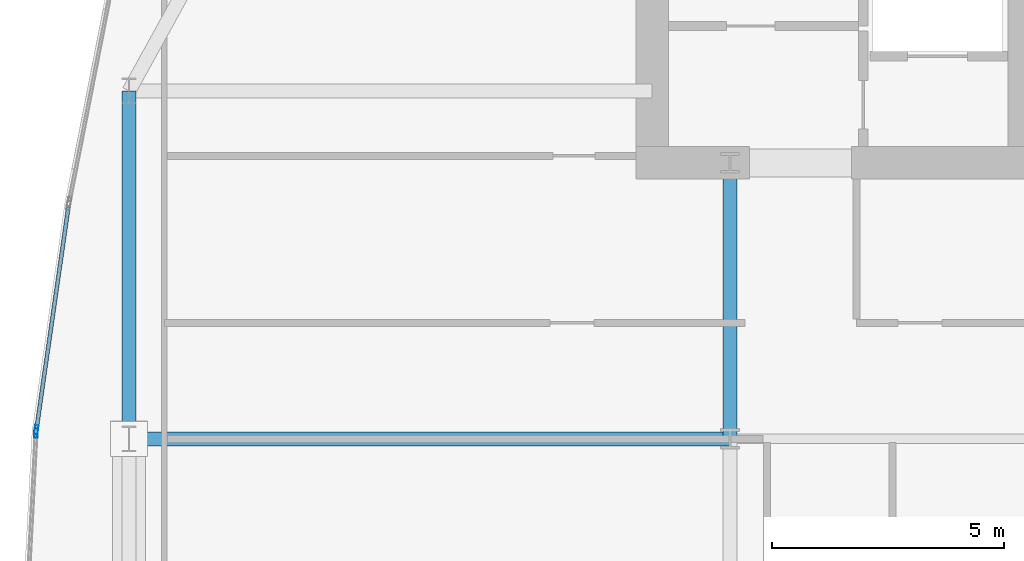
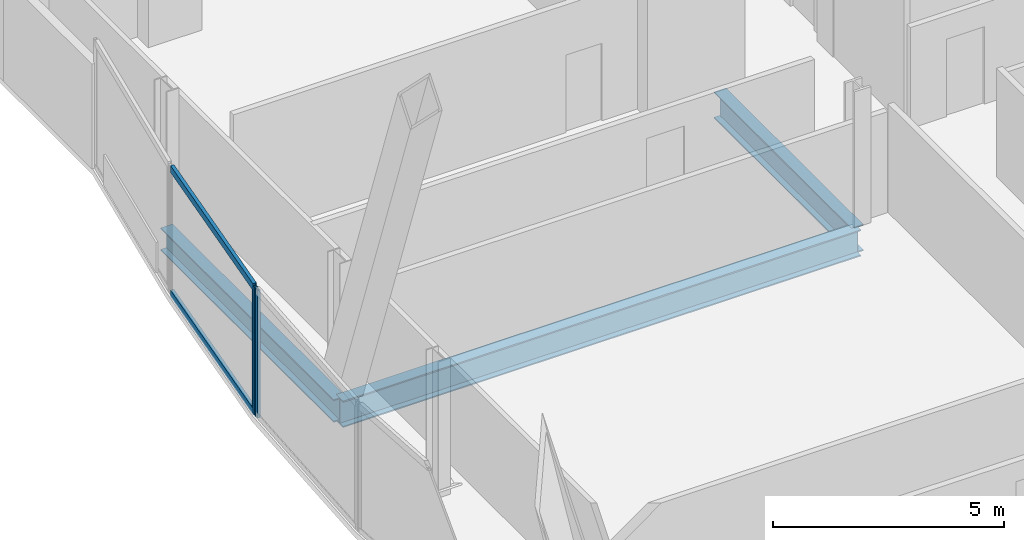
# One storey, part 12 of 31: 4 members, 3 beams, 2 elements without a shape of their own.
"""IFC4 building model written with IfcOpenShell, lengths in metres."""

from ifc_helpers import new_model, si_unit, direction, frame, origin, origin_2d, place, context, subcontext, project, spatial, hollow_rectangle, i_section, extrude, material, material_profile, profile_set, type_object, element, aggregate, save


model = new_model("IFC4")

# Units and contexts
model_context = context("Model", 3, precision=1e-05, world=origin(), true_north=direction((0.0, 1.0)))
body_context = subcontext(model_context, "Body", "Model", "MODEL_VIEW")
ifc_project = project(units=[si_unit("LENGTHUNIT", "METRE"), si_unit("AREAUNIT", "SQUARE_METRE"), si_unit("VOLUMEUNIT", "CUBIC_METRE"), si_unit("PLANEANGLEUNIT", "RADIAN"), si_unit("MASSUNIT", "GRAM", prefix="KILO")], contexts=[model_context])

# Site, building, storey
site_placement = place(None, origin())
site = spatial("IfcSite", under=ifc_project, at=site_placement, CompositionType="ELEMENT")
building_placement = place(site_placement, origin())
building = spatial("IfcBuilding", under=site, at=building_placement, Name="Khoronbel Lancet Exchange", CompositionType="ELEMENT")
storey_placement = place(building_placement, frame((0.0, 0.0, 168.60009765625)))
storey = spatial("IfcBuildingStorey", under=building, at=storey_placement, Name="L42", CompositionType="ELEMENT", Elevation=168.60009765625)

# Beams
ifc_material_1 = material(Name="Steel S355", Category="steel")
ifc_material_profile_1 = material_profile(ifc_material_1, i_section(OverallWidth=0.300048828125, OverallDepth=0.699951171875, WebThickness=0.01708984375, FlangeThickness=0.031982421875, at=origin_2d()), Name="HEB 700")
ifc_profile_set_1 = profile_set([ifc_material_profile_1], Name="Steel S355")
beam_type_1 = type_object("IfcBeamType", Name="BM-BG3", PredefinedType="BEAM", material=ifc_profile_set_1)
beam_1_placement = place(storey_placement, frame((18.22509765625, 35.699951171875, -0.510009765625), z_axis=(0.0, 1.0, 0.0), x_axis=(-1.0, 0.0, 0.0)))
element("IfcBeam", 1, at=beam_1_placement, inside=storey, type_object=beam_type_1, Name="Level L42 spine tie girder GN1", PredefinedType="BEAM", context=body_context, shape_type="SweptSolid", body=[
    extrude(i_section(OverallWidth=0.300048828125, OverallDepth=0.699951171875, WebThickness=0.01708984375, FlangeThickness=0.031982421875, at=origin_2d()), origin(), (0.0, 0.0, 1.0), 5.949951171875),
])
beam_2_placement = place(storey_placement, frame((5.27001953125, 35.699951171875, -0.510009765625), z_axis=(1.0, 0.0, 0.0), x_axis=(0.0, 1.0, 0.0)))
element("IfcBeam", 2, at=beam_2_placement, inside=storey, type_object=beam_type_1, Name="Level L42 west lens tie girder LG4W", PredefinedType="BEAM", context=body_context, shape_type="SweptSolid", body=[
    extrude(i_section(OverallWidth=0.300048828125, OverallDepth=0.699951171875, WebThickness=0.01708984375, FlangeThickness=0.031982421875, at=origin_2d()), origin(), (0.0, 0.0, 1.0), 12.955078125),
])
ifc_material_profile_2 = material_profile(ifc_material_1, i_section(OverallWidth=0.300048828125, OverallDepth=0.60009765625, WebThickness=0.015380859375, FlangeThickness=0.030029296875, at=origin_2d()), Name="HEB 600")
ifc_profile_set_2 = profile_set([ifc_material_profile_2], Name="Steel S355")
beam_type_2 = type_object("IfcBeamType", Name="BM-BSP2", PredefinedType="SPANDREL", material=ifc_profile_set_2)
beam_3_placement = place(storey_placement, frame((5.27001953125, 43.199951171875, -0.460205078125), z_axis=(0.0, -1.0, 0.0), x_axis=(1.0, 0.0, 0.0)))
element("IfcBeam", 3, at=beam_3_placement, inside=storey, type_object=beam_type_2, Name="Level L42 perimeter spandrel beam SP17", PredefinedType="SPANDREL", context=body_context, shape_type="SweptSolid", body=[
    extrude(i_section(OverallWidth=0.300048828125, OverallDepth=0.60009765625, WebThickness=0.015380859375, FlangeThickness=0.030029296875, at=origin_2d()), origin(), (0.0, 0.0, 1.0), 7.5),
])

# Curtain wall, member
ifc_material_2 = material(Name="Low-E Solar Control Insulating Glass", Category="glass")
curtain_wall_type = type_object("IfcCurtainWallType", Name="CW-4", PredefinedType="NOTDEFINED", material=ifc_material_2)
curtain_wall_1_placement = place(storey_placement, origin())
curtain_wall_1 = element("IfcCurtainWall", 4, at=curtain_wall_1_placement, inside=storey, type_object=curtain_wall_type, Name="Unitised curtain wall CW-L42-E07", PredefinedType="NOTDEFINED")
ifc_material_3 = material(Name="Bronze-Anodised Aluminium 6063-T6", Category="aluminium")
ifc_material_profile_3 = material_profile(ifc_material_3, hollow_rectangle(XDim=0.074951171875, YDim=0.199951171875, WallThickness=0.0048828125, at=origin_2d()), Name="ALU MULLION 75x200")
ifc_profile_set_3 = profile_set([ifc_material_profile_3], Name="Bronze-Anodised Aluminium 6063-T6")
member_type_1 = type_object("IfcMemberType", Name="MEM-CWM2", PredefinedType="MULLION", material=ifc_profile_set_3)
member_1_placement = place(storey_placement, frame((3.265869140625, 35.820556640625, 0.0), z_axis=(0.0, 0.0, 1.0), x_axis=(-0.998619009442, 0.052536406245, 0.0)))
member_1 = element("IfcMember", 5, at=member_1_placement, type_object=member_type_1, Name="CW4 mullion 2", PredefinedType="MULLION", context=body_context, shape_type="SweptSolid", body=[
    extrude(hollow_rectangle(XDim=0.074951171875, YDim=0.199951171875, WallThickness=0.0048828125, at=origin_2d()), origin(), (0.0, 0.0, 1.0), 3.3798828125),
])
aggregate(curtain_wall_1, [member_1])

# Curtain wall, members
curtain_wall_2_placement = place(storey_placement, origin())
curtain_wall_2 = element("IfcCurtainWall", 6, at=curtain_wall_2_placement, inside=storey, type_object=curtain_wall_type, Name="Unitised curtain wall CW-L42-E08", PredefinedType="NOTDEFINED")
member_2_placement = place(storey_placement, frame((3.273193359375, 35.89501953125, 0.0), z_axis=(0.0, 0.0, 1.0), x_axis=(-0.989829804459, 0.142256663132, 0.0)))
member_2 = element("IfcMember", 7, at=member_2_placement, type_object=member_type_1, Name="CW4 mullion 1", PredefinedType="MULLION", context=body_context, shape_type="SweptSolid", body=[
    extrude(hollow_rectangle(XDim=0.074951171875, YDim=0.199951171875, WallThickness=0.0048828125, at=origin_2d()), origin(), (0.0, 0.0, 1.0), 3.3798828125),
])
ifc_material_profile_4 = material_profile(ifc_material_3, hollow_rectangle(XDim=0.0849609375, YDim=0.179931640625, WallThickness=0.0048828125, at=origin_2d()), Name="ALU TRANSOM 85x180")
ifc_profile_set_4 = profile_set([ifc_material_profile_4], Name="Bronze-Anodised Aluminium 6063-T6")
member_type_2 = type_object("IfcMemberType", Name="MEM-CWT1", PredefinedType="USERDEFINED", material=ifc_profile_set_4)
member_3_placement = place(storey_placement, frame((3.278564453125, 35.93212890625, 0.04248046875), z_axis=(0.142252593383, 0.989830389348, 0.0), x_axis=(-0.989830389348, 0.142252593383, 0.0)))
member_3 = element("IfcMember", 8, at=member_3_placement, type_object=member_type_2, Name="CW4 transom 1.1", ObjectType="TRANSOM", PredefinedType="USERDEFINED", context=body_context, shape_type="SweptSolid", body=[
    extrude(hollow_rectangle(XDim=0.0849609375, YDim=0.179931640625, WallThickness=0.0048828125, at=origin_2d()), origin(), (0.0, 0.0, 1.0), 4.810546875),
])
member_4_placement = place(storey_placement, frame((3.278564453125, 35.93212890625, 3.33740234375), z_axis=(0.142252593383, 0.989830389348, 0.0), x_axis=(-0.989830389348, 0.142252593383, 0.0)))
member_4 = element("IfcMember", 9, at=member_4_placement, type_object=member_type_2, Name="CW4 transom 1.2", ObjectType="TRANSOM", PredefinedType="USERDEFINED", context=body_context, shape_type="SweptSolid", body=[
    extrude(hollow_rectangle(XDim=0.0849609375, YDim=0.179931640625, WallThickness=0.0048828125, at=origin_2d()), origin(), (0.0, 0.0, 1.0), 4.810546875),
])
aggregate(curtain_wall_2, [member_2, member_3, member_4])

save(model, "model.ifc")
